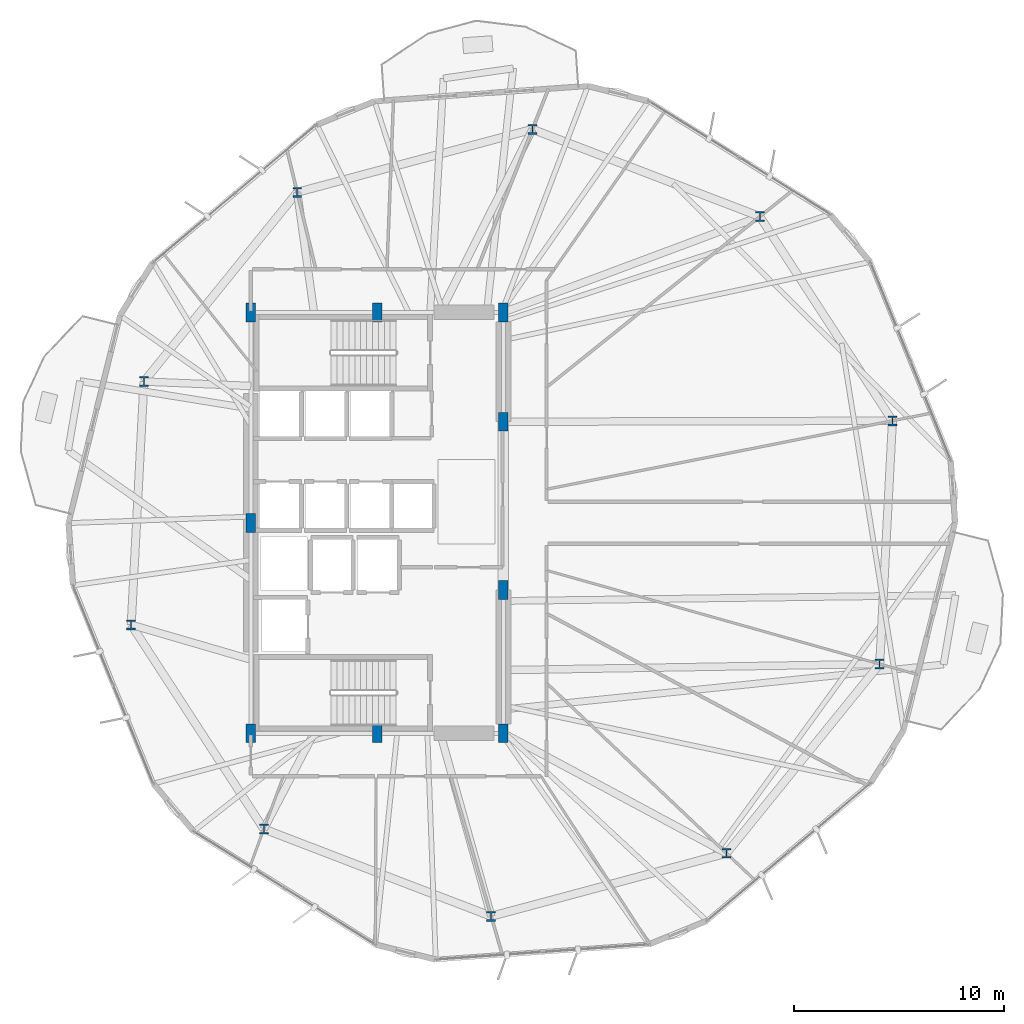
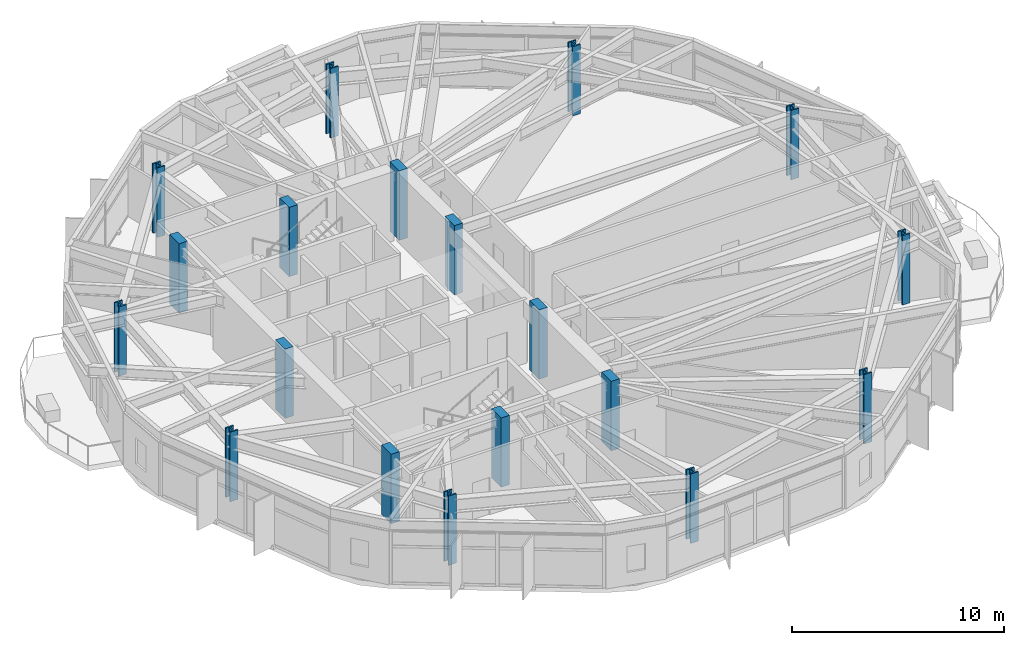
# One storey, part 1 of 22: 19 columns.
"""IFC4 building model written with IfcOpenShell, lengths in metres."""

from ifc_helpers import new_model, si_unit, direction, frame, origin, origin_2d, place, context, subcontext, project, spatial, rectangle, i_section, extrude, material, material_profile, profile_set, type_object, element, save


model = new_model("IFC4")

# Units and contexts
model_context = context("Model", 3, precision=1e-05, world=origin(), true_north=direction((0.0, 1.0)))
body_context = subcontext(model_context, "Body", "Model", "MODEL_VIEW")
ifc_project = project(units=[si_unit("LENGTHUNIT", "METRE"), si_unit("AREAUNIT", "SQUARE_METRE"), si_unit("VOLUMEUNIT", "CUBIC_METRE"), si_unit("PLANEANGLEUNIT", "RADIAN"), si_unit("MASSUNIT", "GRAM", prefix="KILO")], contexts=[model_context])

# Site, building, storey
site_placement = place(None, origin())
site = spatial("IfcSite", under=ifc_project, at=site_placement, CompositionType="ELEMENT")
building_placement = place(site_placement, origin())
building = spatial("IfcBuilding", under=site, at=building_placement, Name="Soratama Intermodal Tower", CompositionType="ELEMENT")
storey_placement = place(building_placement, frame((0.0, 0.0, 42.60009765625)))
storey = spatial("IfcBuildingStorey", under=building, at=storey_placement, Name="L09", CompositionType="ELEMENT", Elevation=42.60009765625)

# Columns
ifc_material_1 = material(Name="Structural steel ASTM A992 Grade 50", Category="steel")
ifc_material_profile_1 = material_profile(ifc_material_1, i_section(OverallWidth=0.424072265625, OverallDepth=0.47412109375, WebThickness=0.047607421875, FlangeThickness=0.0771484375, FilletRadius=0.0380859375, at=origin_2d()), Name="W14X426")
ifc_profile_set_1 = profile_set([ifc_material_profile_1], Name="Structural steel ASTM A992 Grade 50")
column_type_1 = type_object("IfcColumnType", Name="COL-ZA-W14X426", PredefinedType="COLUMN", material=ifc_profile_set_1)
for number, where, z_axis, x_axis, name in (
    (1, (63.08203125, 29.84521484375, 0.0), (0.0, 0.0, 1.0), (1.0, 0.0, 0.0), "L09 Tower Ring Column R01"),
    (2, (56.781005859375, 39.548095703125, 0.0), (0.0, 0.0, 1.0), (1.0, 0.0, 0.0), "L09 Tower Ring Column R02"),
    (3, (45.979736328125, 43.6943359375, 0.0), (0.0, 0.0, 1.0), (1.0, 0.0, 0.0), "L09 Tower Ring Column R03"),
    (4, (34.804443359375, 40.699951171875, 0.0), (0.0, 0.0, 1.0), (1.0, 0.0, 0.0), "L09 Tower Ring Column R04"),
    (5, (27.5234375, 31.70849609375, 0.0), (0.0, 0.0, 1.0), (1.0, 0.0, 0.0), "L09 Tower Ring Column R05"),
    (6, (26.91796875, 20.15478515625, 0.0), (0.0, 0.0, 1.0), (1.0, 0.0, 0.0), "L09 Tower Ring Column R06"),
    (7, (33.218994140625, 10.451904296875, 0.0), (0.0, 0.0, 1.0), (1.0, 0.0, 0.0), "L09 Tower Ring Column R07"),
    (8, (44.020263671875, 6.3056640625, 0.0), (0.0, 0.0, 1.0), (1.0, 0.0, 0.0), "L09 Tower Ring Column R08"),
    (9, (55.195556640625, 9.300048828125, 0.0), (0.0, 0.0, 1.0), (1.0, 0.0, 0.0), "L09 Tower Ring Column R09"),
    (10, (62.4765625, 18.29150390625, 0.0), (0.0, 0.0, 1.0), (1.0, 0.0, 0.0), "L09 Tower Ring Column R10"),
):
    element("IfcColumn", number, at=place(storey_placement, frame(where, z_axis=z_axis, x_axis=x_axis)), inside=storey, type_object=column_type_1, Name=name, PredefinedType="COLUMN", context=body_context, shape_type="SweptSolid", body=[
        extrude(i_section(OverallWidth=0.424072265625, OverallDepth=0.47412109375, WebThickness=0.047607421875, FlangeThickness=0.0771484375, FilletRadius=0.0380859375, at=origin_2d()), origin(), (0.0, 0.0, 1.0), 4.0),
    ])
ifc_material_2 = material(Name="Concrete f'c 56 MPa", Category="concrete")
ifc_material_profile_2 = material_profile(ifc_material_2, rectangle(XDim=0.449951171875, YDim=0.89990234375, at=origin_2d()), Name="RC450X900")
ifc_profile_set_2 = profile_set([ifc_material_profile_2], Name="Concrete f'c 56 MPa")
column_type_2 = type_object("IfcColumnType", Name="PIL-CORE-450X900", PredefinedType="PILASTER", material=ifc_profile_set_2)
for number, where, z_axis, x_axis, name in (
    (11, (32.60009765625, 15.0, 0.0), (0.0, 0.0, 1.0), (1.0, 0.0, 0.0), "L09 Core Pilaster 1"),
    (12, (32.60009765625, 25.0, 0.0), (0.0, 0.0, 1.0), (1.0, 0.0, 0.0), "L09 Core Pilaster 2"),
    (13, (32.60009765625, 35.0, 0.0), (0.0, 0.0, 1.0), (1.0, 0.0, 0.0), "L09 Core Pilaster 3"),
    (14, (38.60009765625, 15.0, 0.0), (0.0, 0.0, 1.0), (1.0, 0.0, 0.0), "L09 Core Pilaster 4"),
    (15, (38.60009765625, 35.0, 0.0), (0.0, 0.0, 1.0), (1.0, 0.0, 0.0), "L09 Core Pilaster 5"),
    (16, (44.60009765625, 15.0, 0.0), (0.0, 0.0, 1.0), (1.0, 0.0, 0.0), "L09 Core Pilaster 6"),
    (17, (44.60009765625, 21.800048828125, 0.0), (0.0, 0.0, 1.0), (1.0, 0.0, 0.0), "L09 Core Pilaster 7"),
    (18, (44.60009765625, 29.800048828125, 0.0), (0.0, 0.0, 1.0), (1.0, 0.0, 0.0), "L09 Core Pilaster 8"),
    (19, (44.60009765625, 35.0, 0.0), (0.0, 0.0, 1.0), (1.0, 0.0, 0.0), "L09 Core Pilaster 9"),
):
    element("IfcColumn", number, at=place(storey_placement, frame(where, z_axis=z_axis, x_axis=x_axis)), inside=storey, type_object=column_type_2, Name=name, PredefinedType="PILASTER", context=body_context, shape_type="SweptSolid", body=[
        extrude(rectangle(XDim=0.449951171875, YDim=0.89990234375, at=origin_2d()), origin(), (0.0, 0.0, 1.0), 4.0),
    ])

save(model, "model.ifc")
